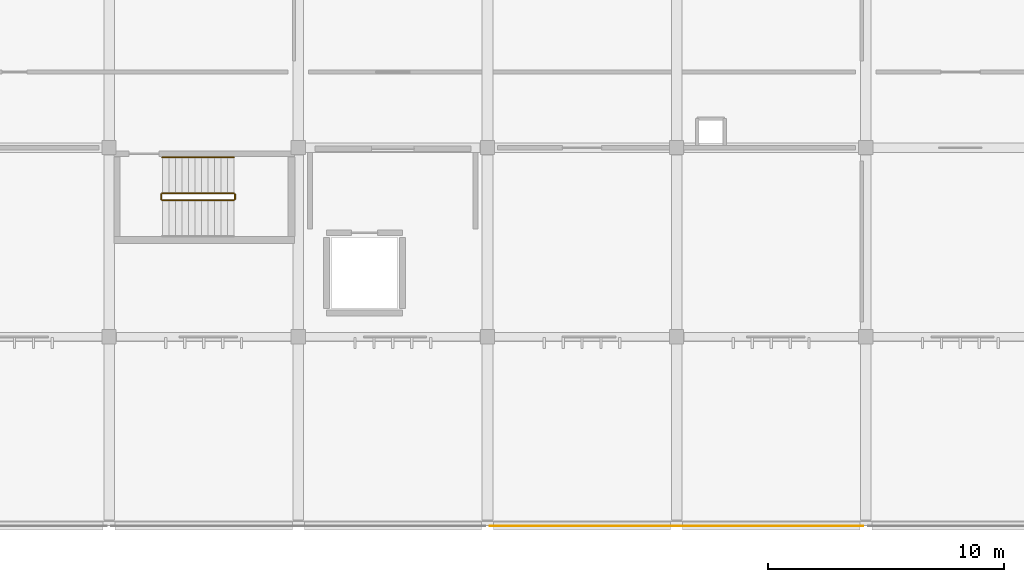
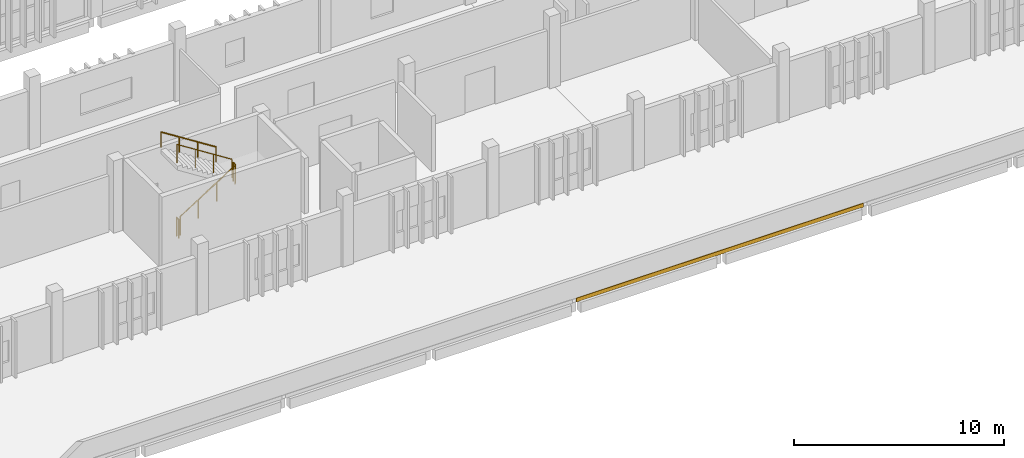
# One storey, part 131 of 137: 5 railings, 1 covering.
"""IFC4 building model written with IfcOpenShell, lengths in metres."""

from ifc_helpers import new_model, si_unit, direction, frame, origin, origin_2d, place, context, subcontext, project, spatial, rectangle, circle, extrude, material, layer, layer_set, type_object, element, save


model = new_model("IFC4")

# Units and contexts
model_context = context("Model", 3, precision=1e-05, world=origin(), true_north=direction((0.0, 1.0)))
body_context = subcontext(model_context, "Body", "Model", "MODEL_VIEW")
ifc_project = project(units=[si_unit("LENGTHUNIT", "METRE"), si_unit("AREAUNIT", "SQUARE_METRE"), si_unit("VOLUMEUNIT", "CUBIC_METRE"), si_unit("PLANEANGLEUNIT", "RADIAN"), si_unit("MASSUNIT", "GRAM", prefix="KILO")], contexts=[model_context])

# Site, building, storey
site_placement = place(None, origin())
site = spatial("IfcSite", under=ifc_project, at=site_placement, CompositionType="ELEMENT")
building_placement = place(site_placement, origin())
building = spatial("IfcBuilding", under=site, at=building_placement, Name="Jelvoka-Kovrelna Polytechnic", CompositionType="ELEMENT")
storey_placement = place(building_placement, frame((0.0, 0.0, 9.60009765625)))
storey = spatial("IfcBuildingStorey", under=building, at=storey_placement, Name="L03", CompositionType="ELEMENT", Elevation=9.60009765625)

# Covering
ifc_material_1 = material(Name="Anodised aluminium architectural fascia cladding", Category="aluminium")
ifc_layer = layer(ifc_material_1, 0.0400390625)
ifc_layer_set = layer_set([ifc_layer], Name="Anodised aluminium architectural fascia cladding")
covering_type = type_object("IfcCoveringType", Name="Covering_Fascia_Cladding_40", PredefinedType="CLADDING", material=ifc_layer_set)
covering_placement = place(storey_placement, frame((112.0, 0.0, -0.205078125), z_axis=(0.0, 0.0, 1.0), x_axis=(1.0, 0.0, 0.0)))
element("IfcCovering", 1, at=covering_placement, inside=storey, type_object=covering_type, Name="L03 colonnade eave anodised fascia cladding 04", PredefinedType="CLADDING", context=body_context, shape_type="SweptSolid", body=[
    extrude(rectangle(XDim=15.800048828125, YDim=0.0400390625, at=origin_2d()), origin(), (0.0, 0.0, 1.0), 0.219970703125),
])

# Railings
ifc_material_2 = material(Name="Powder-coated steel stair guard", Category="steel")
railing_type_1 = type_object("IfcRailingType", Name="Railing_Stair_Guard_1100", PredefinedType="GUARDRAIL", material=ifc_material_2)
railing_1_placement = place(storey_placement, frame((90.25, 13.77001953125, 0.1748046875)))
element("IfcRailing", 2, at=railing_1_placement, inside=storey, type_object=railing_type_1, Name="L03 ST06 stair guard 1", PredefinedType="GUARDRAIL", context=body_context, shape_type="SweptSolid", body=[
    extrude(circle(Radius=0.02392578125, at=origin_2d()), frame((0.0, 0.0, 1.076171875), z_axis=(0.84364746871, 0.0, 0.536897521451), x_axis=(0.0, 1.0, 0.0)), (0.0, 0.0, 1.0), 3.58544921875),
    extrude(circle(Radius=0.02099609375, at=origin_2d()), origin(), (0.0, 0.0, 1.0), 1.052001953125),
    extrude(circle(Radius=0.02099609375, at=origin_2d()), frame((1.00830078125, 0.0, 0.6416015625)), (0.0, 0.0, 1.0), 1.052001953125),
    extrude(circle(Radius=0.02099609375, at=origin_2d()), frame((2.0166015625, 0.0, 1.283447265625)), (0.0, 0.0, 1.0), 1.052001953125),
    extrude(circle(Radius=0.02099609375, at=origin_2d()), frame((3.02490234375, 0.0, 1.925048828125)), (0.0, 0.0, 1.0), 1.052001953125),
])
railing_2_placement = place(storey_placement, frame((93.324951171875, 13.820068359375, 2.099853515625)))
element("IfcRailing", 3, at=railing_2_placement, inside=storey, type_object=railing_type_1, Name="L03 ST06 stair guard 2", PredefinedType="GUARDRAIL", context=body_context, shape_type="SweptSolid", body=[
    extrude(circle(Radius=0.02392578125, at=origin_2d()), frame((0.0, 0.0, 1.076171875), z_axis=(0.0, 1.0, 0.0), x_axis=(-1.0, 0.0, 0.0)), (0.0, 0.0, 1.0), 0.199951171875),
    extrude(circle(Radius=0.02099609375, at=origin_2d()), origin(), (0.0, 0.0, 1.0), 1.052001953125),
    extrude(circle(Radius=0.02099609375, at=origin_2d()), frame((0.0, 0.199951171875, 0.0)), (0.0, 0.0, 1.0), 1.052001953125),
])
railing_3_placement = place(storey_placement, frame((93.27490234375, 14.070068359375, 2.27490234375)))
element("IfcRailing", 4, at=railing_3_placement, inside=storey, type_object=railing_type_1, Name="L03 ST06 stair guard 3", PredefinedType="GUARDRAIL", context=body_context, shape_type="SweptSolid", body=[
    extrude(circle(Radius=0.02392578125, at=origin_2d()), frame((0.0, 0.0, 1.076171875), z_axis=(-0.84364746871, 0.0, 0.536897521451), x_axis=(0.0, -1.0, 0.0)), (0.0, 0.0, 1.0), 3.58544921875),
    extrude(circle(Radius=0.02099609375, at=origin_2d()), origin(), (0.0, 0.0, 1.0), 1.052001953125),
    extrude(circle(Radius=0.02099609375, at=origin_2d()), frame((-1.00830078125, 0.0, 0.6416015625)), (0.0, 0.0, 1.0), 1.052001953125),
    extrude(circle(Radius=0.02099609375, at=origin_2d()), frame((-2.0166015625, 0.0, 1.283447265625)), (0.0, 0.0, 1.0), 1.052001953125),
    extrude(circle(Radius=0.02099609375, at=origin_2d()), frame((-3.02490234375, 0.0, 1.925048828125)), (0.0, 0.0, 1.0), 1.052001953125),
])
railing_4_placement = place(storey_placement, frame((90.199951171875, 13.820068359375, 0.0)))
element("IfcRailing", 5, at=railing_4_placement, inside=storey, type_object=railing_type_1, Name="L03 ST06 stair guard 4", PredefinedType="GUARDRAIL", context=body_context, shape_type="SweptSolid", body=[
    extrude(circle(Radius=0.02392578125, at=origin_2d()), frame((0.0, 0.0, 1.076171875), z_axis=(0.0, 1.0, 0.0), x_axis=(-1.0, 0.0, 0.0)), (0.0, 0.0, 1.0), 0.199951171875),
    extrude(circle(Radius=0.02099609375, at=origin_2d()), origin(), (0.0, 0.0, 1.0), 1.052001953125),
    extrude(circle(Radius=0.02099609375, at=origin_2d()), frame((0.0, 0.199951171875, 0.0)), (0.0, 0.0, 1.0), 1.052001953125),
])
ifc_material_3 = material(Name="Brushed stainless steel handrail", Category="steel")
railing_type_2 = type_object("IfcRailingType", Name="Railing_Stair_Handrail_900", PredefinedType="HANDRAIL", material=ifc_material_3)
railing_5_placement = place(storey_placement, frame((93.27490234375, 15.590087890625, 2.27490234375)))
element("IfcRailing", 6, at=railing_5_placement, inside=storey, type_object=railing_type_2, Name="L03 ST06 stair handrail 2", PredefinedType="HANDRAIL", context=body_context, shape_type="SweptSolid", body=[
    extrude(circle(Radius=0.02392578125, at=origin_2d()), frame((0.0, 0.0, 0.8759765625), z_axis=(-0.84364746871, 0.0, 0.536897521451), x_axis=(0.0, -1.0, 0.0)), (0.0, 0.0, 1.0), 3.58544921875),
    extrude(circle(Radius=0.02099609375, at=origin_2d()), origin(), (0.0, 0.0, 1.0), 0.851806640625),
    extrude(circle(Radius=0.02099609375, at=origin_2d()), frame((-1.00830078125, 0.0, 0.6416015625)), (0.0, 0.0, 1.0), 0.851806640625),
    extrude(circle(Radius=0.02099609375, at=origin_2d()), frame((-2.0166015625, 0.0, 1.283447265625)), (0.0, 0.0, 1.0), 0.851806640625),
    extrude(circle(Radius=0.02099609375, at=origin_2d()), frame((-3.02490234375, 0.0, 1.925048828125)), (0.0, 0.0, 1.0), 0.851806640625),
])

save(model, "model.ifc")
